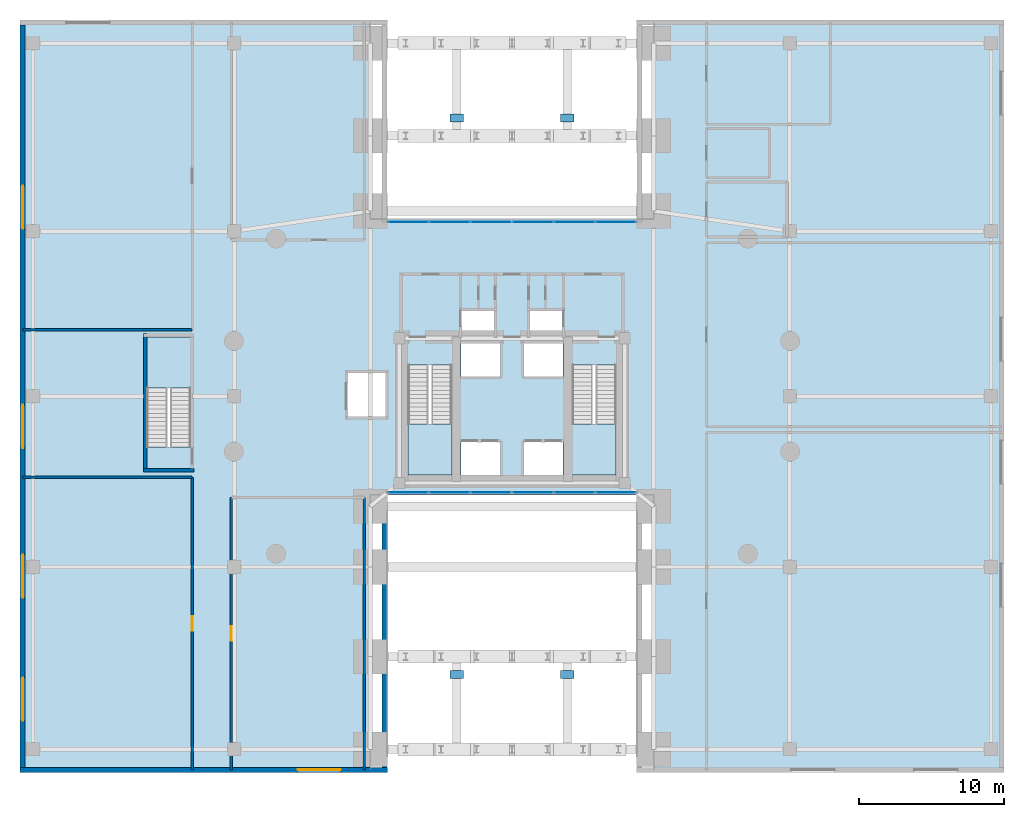
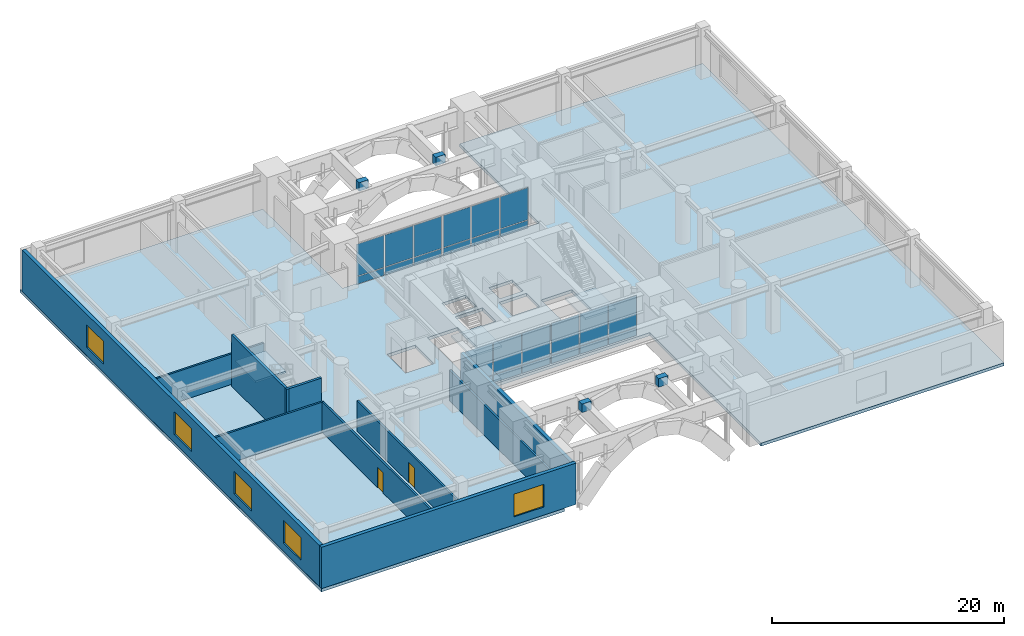
# One storey, part 13 of 18: 28 plates, 10 walls, 5 windows, 4 slabs, 2 doors, 7 openings, 7 elements without a shape of their own.
"""IFC4 building model written with IfcOpenShell, lengths in metres."""

from ifc_helpers import new_model, si_unit, direction, frame, frame_2d, origin, origin_2d, place, context, subcontext, project, spatial, polyline, rectangle, outline, extrude, material, layer, layer_set, type_object, element, fill, aggregate, save


model = new_model("IFC4")

# Units and contexts
model_context = context("Model", 3, precision=1e-05, world=origin(), true_north=direction((0.0, 1.0)))
body_context = subcontext(model_context, "Body", "Model", "MODEL_VIEW")
ifc_project = project(units=[si_unit("LENGTHUNIT", "METRE"), si_unit("AREAUNIT", "SQUARE_METRE"), si_unit("VOLUMEUNIT", "CUBIC_METRE"), si_unit("PLANEANGLEUNIT", "RADIAN"), si_unit("MASSUNIT", "GRAM", prefix="KILO"), si_unit("THERMODYNAMICTEMPERATUREUNIT", "KELVIN"), si_unit("POWERUNIT", "WATT")], contexts=[model_context])

# Site, building, storey
site_placement = place(None, origin())
site = spatial("IfcSite", under=ifc_project, at=site_placement, CompositionType="ELEMENT")
building_placement = place(site_placement, origin())
building = spatial("IfcBuilding", under=site, at=building_placement, Name="Ocrelia Relay Tower", CompositionType="ELEMENT")
storey_placement = place(building_placement, frame((0.0, 0.0, 10.199951171875)))
storey = spatial("IfcBuildingStorey", under=building, at=storey_placement, Name="L02", CompositionType="ELEMENT", Elevation=10.199951171875)

# Curtain wall, plates
ifc_material_1 = material(Name="Aluminium and solar-control low-E glass", Category="aluminium")
ifc_layer_1 = layer(ifc_material_1, 0.179931640625, Name="Aluminium and solar-control low-E glass")
ifc_layer_set_1 = layer_set([ifc_layer_1], Name="Aluminium and solar-control low-E glass")
curtain_wall_type = type_object("IfcCurtainWallType", Name="CW-SYS-POD-ARCH", PredefinedType="NOTDEFINED", material=ifc_layer_set_1)
curtain_wall_1_placement = place(storey_placement, origin())
curtain_wall_1 = element("IfcCurtainWall", 1, at=curtain_wall_1_placement, inside=storey, type_object=curtain_wall_type, Name="L02 South Portal Atrium Glazed Screen West", PredefinedType="NOTDEFINED")
ifc_material_2 = material(Name="Clear double-glazed low-E glass", Category="glass")
ifc_layer_2 = layer(ifc_material_2, 0.031982421875, Name="Clear double-glazed low-E glass")
ifc_layer_set_2 = layer_set([ifc_layer_2], Name="Clear double-glazed low-E glass")
plate_type_1 = type_object("IfcPlateType", Name="CW-SYS-POD-ARCH-PNL", PredefinedType="CURTAIN_PANEL", material=ifc_layer_set_2)
plate_1_placement = place(storey_placement, frame((26.83544921875, 19.35009765625, 0.06494140625), z_axis=(0.0, 0.0, 1.0), x_axis=(1.0, 0.0, 0.0)))
plate_1 = element("IfcPlate", 2, at=plate_1_placement, type_object=plate_type_1, Name="CW-PA panel 1.1", PredefinedType="CURTAIN_PANEL", context=body_context, shape_type="SweptSolid", body=[
    extrude(rectangle(XDim=2.7607421875, YDim=0.031982421875, at=origin_2d()), origin(), (0.0, 0.0, 1.0), 0.802490234375),
])
plate_2_placement = place(storey_placement, frame((26.83544921875, 19.35009765625, 0.9326171875), z_axis=(0.0, 0.0, 1.0), x_axis=(1.0, 0.0, 0.0)))
plate_2 = element("IfcPlate", 3, at=plate_2_placement, type_object=plate_type_1, Name="CW-PA panel 1.2", PredefinedType="CURTAIN_PANEL", context=body_context, shape_type="SweptSolid", body=[
    extrude(rectangle(XDim=2.7607421875, YDim=0.031982421875, at=origin_2d()), origin(), (0.0, 0.0, 1.0), 3.362548828125),
])
plate_3_placement = place(storey_placement, frame((29.68994140625, 19.35009765625, 0.06494140625), z_axis=(0.0, 0.0, 1.0), x_axis=(1.0, 0.0, 0.0)))
plate_3 = element("IfcPlate", 4, at=plate_3_placement, type_object=plate_type_1, Name="CW-PA panel 2.1", PredefinedType="CURTAIN_PANEL", context=body_context, shape_type="SweptSolid", body=[
    extrude(rectangle(XDim=2.79833984375, YDim=0.031982421875, at=origin_2d()), origin(), (0.0, 0.0, 1.0), 0.802490234375),
])
plate_4_placement = place(storey_placement, frame((29.68994140625, 19.35009765625, 0.9326171875), z_axis=(0.0, 0.0, 1.0), x_axis=(1.0, 0.0, 0.0)))
plate_4 = element("IfcPlate", 5, at=plate_4_placement, type_object=plate_type_1, Name="CW-PA panel 2.2", PredefinedType="CURTAIN_PANEL", context=body_context, shape_type="SweptSolid", body=[
    extrude(rectangle(XDim=2.79833984375, YDim=0.031982421875, at=origin_2d()), origin(), (0.0, 0.0, 1.0), 3.362548828125),
])
plate_5_placement = place(storey_placement, frame((32.544677734375, 19.35009765625, 0.06494140625), z_axis=(0.0, 0.0, 1.0), x_axis=(1.0, 0.0, 0.0)))
plate_5 = element("IfcPlate", 6, at=plate_5_placement, type_object=plate_type_1, Name="CW-PA panel 3.1", PredefinedType="CURTAIN_PANEL", context=body_context, shape_type="SweptSolid", body=[
    extrude(rectangle(XDim=2.7607421875, YDim=0.031982421875, at=origin_2d()), origin(), (0.0, 0.0, 1.0), 0.802490234375),
])
plate_6_placement = place(storey_placement, frame((32.544677734375, 19.35009765625, 0.9326171875), z_axis=(0.0, 0.0, 1.0), x_axis=(1.0, 0.0, 0.0)))
plate_6 = element("IfcPlate", 7, at=plate_6_placement, type_object=plate_type_1, Name="CW-PA panel 3.2", PredefinedType="CURTAIN_PANEL", context=body_context, shape_type="SweptSolid", body=[
    extrude(rectangle(XDim=2.7607421875, YDim=0.031982421875, at=origin_2d()), origin(), (0.0, 0.0, 1.0), 3.362548828125),
])
aggregate(curtain_wall_1, [plate_1, plate_2, plate_3, plate_4, plate_5, plate_6])

curtain_wall_2_placement = place(storey_placement, origin())
curtain_wall_2 = element("IfcCurtainWall", 8, at=curtain_wall_2_placement, inside=storey, type_object=curtain_wall_type, Name="L02 South Portal Atrium Glazed Screen East", PredefinedType="NOTDEFINED")
plate_7_placement = place(storey_placement, frame((35.455322265625, 19.35009765625, 0.06494140625), z_axis=(0.0, 0.0, 1.0), x_axis=(1.0, 0.0, 0.0)))
plate_7 = element("IfcPlate", 9, at=plate_7_placement, type_object=plate_type_1, Name="CW-PA panel 1.1", PredefinedType="CURTAIN_PANEL", context=body_context, shape_type="SweptSolid", body=[
    extrude(rectangle(XDim=2.7607421875, YDim=0.031982421875, at=origin_2d()), origin(), (0.0, 0.0, 1.0), 0.802490234375),
])
plate_8_placement = place(storey_placement, frame((35.455322265625, 19.35009765625, 0.9326171875), z_axis=(0.0, 0.0, 1.0), x_axis=(1.0, 0.0, 0.0)))
plate_8 = element("IfcPlate", 10, at=plate_8_placement, type_object=plate_type_1, Name="CW-PA panel 1.2", PredefinedType="CURTAIN_PANEL", context=body_context, shape_type="SweptSolid", body=[
    extrude(rectangle(XDim=2.7607421875, YDim=0.031982421875, at=origin_2d()), origin(), (0.0, 0.0, 1.0), 3.362548828125),
])
plate_9_placement = place(storey_placement, frame((38.31005859375, 19.35009765625, 0.06494140625), z_axis=(0.0, 0.0, 1.0), x_axis=(1.0, 0.0, 0.0)))
plate_9 = element("IfcPlate", 11, at=plate_9_placement, type_object=plate_type_1, Name="CW-PA panel 2.1", PredefinedType="CURTAIN_PANEL", context=body_context, shape_type="SweptSolid", body=[
    extrude(rectangle(XDim=2.79833984375, YDim=0.031982421875, at=origin_2d()), origin(), (0.0, 0.0, 1.0), 0.802490234375),
])
plate_10_placement = place(storey_placement, frame((38.31005859375, 19.35009765625, 0.9326171875), z_axis=(0.0, 0.0, 1.0), x_axis=(1.0, 0.0, 0.0)))
plate_10 = element("IfcPlate", 12, at=plate_10_placement, type_object=plate_type_1, Name="CW-PA panel 2.2", PredefinedType="CURTAIN_PANEL", context=body_context, shape_type="SweptSolid", body=[
    extrude(rectangle(XDim=2.79833984375, YDim=0.031982421875, at=origin_2d()), origin(), (0.0, 0.0, 1.0), 3.362548828125),
])
plate_11_placement = place(storey_placement, frame((41.16455078125, 19.35009765625, 0.06494140625), z_axis=(0.0, 0.0, 1.0), x_axis=(1.0, 0.0, 0.0)))
plate_11 = element("IfcPlate", 13, at=plate_11_placement, type_object=plate_type_1, Name="CW-PA panel 3.1", PredefinedType="CURTAIN_PANEL", context=body_context, shape_type="SweptSolid", body=[
    extrude(rectangle(XDim=2.7607421875, YDim=0.031982421875, at=origin_2d()), origin(), (0.0, 0.0, 1.0), 0.802490234375),
])
plate_12_placement = place(storey_placement, frame((41.16455078125, 19.35009765625, 0.9326171875), z_axis=(0.0, 0.0, 1.0), x_axis=(1.0, 0.0, 0.0)))
plate_12 = element("IfcPlate", 14, at=plate_12_placement, type_object=plate_type_1, Name="CW-PA panel 3.2", PredefinedType="CURTAIN_PANEL", context=body_context, shape_type="SweptSolid", body=[
    extrude(rectangle(XDim=2.7607421875, YDim=0.031982421875, at=origin_2d()), origin(), (0.0, 0.0, 1.0), 3.362548828125),
])
aggregate(curtain_wall_2, [plate_7, plate_8, plate_9, plate_10, plate_11, plate_12])

curtain_wall_3_placement = place(storey_placement, origin())
curtain_wall_3 = element("IfcCurtainWall", 15, at=curtain_wall_3_placement, inside=storey, type_object=curtain_wall_type, Name="L02 North Portal Concourse Glazed Screen West", PredefinedType="NOTDEFINED")
plate_13_placement = place(storey_placement, frame((26.83544921875, 38.050048828125, 0.06494140625), z_axis=(0.0, 0.0, 1.0), x_axis=(1.0, 0.0, 0.0)))
plate_13 = element("IfcPlate", 16, at=plate_13_placement, type_object=plate_type_1, Name="CW-PA panel 1.1", PredefinedType="CURTAIN_PANEL", context=body_context, shape_type="SweptSolid", body=[
    extrude(rectangle(XDim=2.7607421875, YDim=0.031982421875, at=origin_2d()), origin(), (0.0, 0.0, 1.0), 0.802490234375),
])
plate_14_placement = place(storey_placement, frame((26.83544921875, 38.050048828125, 0.9326171875), z_axis=(0.0, 0.0, 1.0), x_axis=(1.0, 0.0, 0.0)))
plate_14 = element("IfcPlate", 17, at=plate_14_placement, type_object=plate_type_1, Name="CW-PA panel 1.2", PredefinedType="CURTAIN_PANEL", context=body_context, shape_type="SweptSolid", body=[
    extrude(rectangle(XDim=2.7607421875, YDim=0.031982421875, at=origin_2d()), origin(), (0.0, 0.0, 1.0), 3.362548828125),
])
plate_15_placement = place(storey_placement, frame((29.68994140625, 38.050048828125, 0.06494140625), z_axis=(0.0, 0.0, 1.0), x_axis=(1.0, 0.0, 0.0)))
plate_15 = element("IfcPlate", 18, at=plate_15_placement, type_object=plate_type_1, Name="CW-PA panel 2.1", PredefinedType="CURTAIN_PANEL", context=body_context, shape_type="SweptSolid", body=[
    extrude(rectangle(XDim=2.79833984375, YDim=0.031982421875, at=origin_2d()), origin(), (0.0, 0.0, 1.0), 0.802490234375),
])
plate_16_placement = place(storey_placement, frame((29.68994140625, 38.050048828125, 0.9326171875), z_axis=(0.0, 0.0, 1.0), x_axis=(1.0, 0.0, 0.0)))
plate_16 = element("IfcPlate", 19, at=plate_16_placement, type_object=plate_type_1, Name="CW-PA panel 2.2", PredefinedType="CURTAIN_PANEL", context=body_context, shape_type="SweptSolid", body=[
    extrude(rectangle(XDim=2.79833984375, YDim=0.031982421875, at=origin_2d()), origin(), (0.0, 0.0, 1.0), 3.362548828125),
])
plate_17_placement = place(storey_placement, frame((32.544677734375, 38.050048828125, 0.06494140625), z_axis=(0.0, 0.0, 1.0), x_axis=(1.0, 0.0, 0.0)))
plate_17 = element("IfcPlate", 20, at=plate_17_placement, type_object=plate_type_1, Name="CW-PA panel 3.1", PredefinedType="CURTAIN_PANEL", context=body_context, shape_type="SweptSolid", body=[
    extrude(rectangle(XDim=2.7607421875, YDim=0.031982421875, at=origin_2d()), origin(), (0.0, 0.0, 1.0), 0.802490234375),
])
plate_18_placement = place(storey_placement, frame((32.544677734375, 38.050048828125, 0.9326171875), z_axis=(0.0, 0.0, 1.0), x_axis=(1.0, 0.0, 0.0)))
plate_18 = element("IfcPlate", 21, at=plate_18_placement, type_object=plate_type_1, Name="CW-PA panel 3.2", PredefinedType="CURTAIN_PANEL", context=body_context, shape_type="SweptSolid", body=[
    extrude(rectangle(XDim=2.7607421875, YDim=0.031982421875, at=origin_2d()), origin(), (0.0, 0.0, 1.0), 3.362548828125),
])
aggregate(curtain_wall_3, [plate_13, plate_14, plate_15, plate_16, plate_17, plate_18])

curtain_wall_4_placement = place(storey_placement, origin())
curtain_wall_4 = element("IfcCurtainWall", 22, at=curtain_wall_4_placement, inside=storey, type_object=curtain_wall_type, Name="L02 North Portal Concourse Glazed Screen East", PredefinedType="NOTDEFINED")
plate_19_placement = place(storey_placement, frame((35.455322265625, 38.050048828125, 0.06494140625), z_axis=(0.0, 0.0, 1.0), x_axis=(1.0, 0.0, 0.0)))
plate_19 = element("IfcPlate", 23, at=plate_19_placement, type_object=plate_type_1, Name="CW-PA panel 1.1", PredefinedType="CURTAIN_PANEL", context=body_context, shape_type="SweptSolid", body=[
    extrude(rectangle(XDim=2.7607421875, YDim=0.031982421875, at=origin_2d()), origin(), (0.0, 0.0, 1.0), 0.802490234375),
])
plate_20_placement = place(storey_placement, frame((35.455322265625, 38.050048828125, 0.9326171875), z_axis=(0.0, 0.0, 1.0), x_axis=(1.0, 0.0, 0.0)))
plate_20 = element("IfcPlate", 24, at=plate_20_placement, type_object=plate_type_1, Name="CW-PA panel 1.2", PredefinedType="CURTAIN_PANEL", context=body_context, shape_type="SweptSolid", body=[
    extrude(rectangle(XDim=2.7607421875, YDim=0.031982421875, at=origin_2d()), origin(), (0.0, 0.0, 1.0), 3.362548828125),
])
plate_21_placement = place(storey_placement, frame((38.31005859375, 38.050048828125, 0.06494140625), z_axis=(0.0, 0.0, 1.0), x_axis=(1.0, 0.0, 0.0)))
plate_21 = element("IfcPlate", 25, at=plate_21_placement, type_object=plate_type_1, Name="CW-PA panel 2.1", PredefinedType="CURTAIN_PANEL", context=body_context, shape_type="SweptSolid", body=[
    extrude(rectangle(XDim=2.79833984375, YDim=0.031982421875, at=origin_2d()), origin(), (0.0, 0.0, 1.0), 0.802490234375),
])
plate_22_placement = place(storey_placement, frame((38.31005859375, 38.050048828125, 0.9326171875), z_axis=(0.0, 0.0, 1.0), x_axis=(1.0, 0.0, 0.0)))
plate_22 = element("IfcPlate", 26, at=plate_22_placement, type_object=plate_type_1, Name="CW-PA panel 2.2", PredefinedType="CURTAIN_PANEL", context=body_context, shape_type="SweptSolid", body=[
    extrude(rectangle(XDim=2.79833984375, YDim=0.031982421875, at=origin_2d()), origin(), (0.0, 0.0, 1.0), 3.362548828125),
])
plate_23_placement = place(storey_placement, frame((41.16455078125, 38.050048828125, 0.06494140625), z_axis=(0.0, 0.0, 1.0), x_axis=(1.0, 0.0, 0.0)))
plate_23 = element("IfcPlate", 27, at=plate_23_placement, type_object=plate_type_1, Name="CW-PA panel 3.1", PredefinedType="CURTAIN_PANEL", context=body_context, shape_type="SweptSolid", body=[
    extrude(rectangle(XDim=2.7607421875, YDim=0.031982421875, at=origin_2d()), origin(), (0.0, 0.0, 1.0), 0.802490234375),
])
plate_24_placement = place(storey_placement, frame((41.16455078125, 38.050048828125, 0.9326171875), z_axis=(0.0, 0.0, 1.0), x_axis=(1.0, 0.0, 0.0)))
plate_24 = element("IfcPlate", 28, at=plate_24_placement, type_object=plate_type_1, Name="CW-PA panel 3.2", PredefinedType="CURTAIN_PANEL", context=body_context, shape_type="SweptSolid", body=[
    extrude(rectangle(XDim=2.7607421875, YDim=0.031982421875, at=origin_2d()), origin(), (0.0, 0.0, 1.0), 3.362548828125),
])
aggregate(curtain_wall_4, [plate_19, plate_20, plate_21, plate_22, plate_23, plate_24])

# Plates
ifc_material_3 = material(Name="Steel S355", Category="steel")
ifc_layer_3 = layer(ifc_material_3, 0.035888671875, Name="Steel S355")
ifc_layer_set_3 = layer_set([ifc_layer_3], Name="Steel S355")
plate_type_2 = type_object("IfcPlateType", Name="PL-NODE-ND-01", PredefinedType="USERDEFINED", material=ifc_layer_set_3)
for number, where, z_axis, x_axis, name in (
    (29, (37.82373046875, 45.223388671875, 4.2001953125), (0.0, 0.0, 1.0), (1.0, 0.0, 0.0), "Transfer Truss Bearing Node ND-01 (04)"),
    (30, (30.17626953125, 45.223388671875, 4.2001953125), (0.0, 0.0, 1.0), (1.0, 0.0, 0.0), "Transfer Truss Bearing Node ND-01 (05)"),
    (31, (30.17626953125, 6.776611328125, 4.2001953125), (0.0, 0.0, 1.0), (1.0, 0.0, 0.0), "Transfer Truss Bearing Node ND-01 (12)"),
    (32, (37.82373046875, 6.776611328125, 4.2001953125), (0.0, 0.0, 1.0), (1.0, 0.0, 0.0), "Transfer Truss Bearing Node ND-01 (13)"),
):
    element("IfcPlate", number, at=place(storey_placement, frame(where, z_axis=z_axis, x_axis=x_axis)), inside=storey, type_object=plate_type_2, Name=name, ObjectType="GUSSET PLATE", PredefinedType="USERDEFINED", context=body_context, shape_type="SweptSolid", body=[
        extrude(rectangle(XDim=0.93994140625, YDim=0.550048828125, at=origin_2d()), origin(), (0.0, 0.0, 1.0), 0.89990234375),
    ])

# Slab
ifc_material_4 = material(Name="Concrete C50/60", Category="concrete")
ifc_layer_4 = layer(ifc_material_4, 0.320068359375, Name="Concrete C50/60")
ifc_layer_set_4 = layer_set([ifc_layer_4], Name="Concrete C50/60")
slab_type_1 = type_object("IfcSlabType", Name="SL-FLR-320", PredefinedType="FLOOR", material=ifc_layer_set_4)
slab_1_placement = place(storey_placement, frame((0.0, 0.0, -0.320068359375)))
element("IfcSlab", 33, at=slab_1_placement, inside=storey, type_object=slab_type_1, Name="L02 Arched Podium Floor Slab", PredefinedType="FLOOR", context=body_context, shape_type="SweptSolid", body=[
    extrude(outline(polyline([(0.0, 0.0), (24.199951171875, 0.0), (24.199951171875, 19.199951171875), (43.800048828125, 19.199951171875), (43.800048828125, 0.0), (68.0, 0.0), (68.0, 52.0), (43.800048828125, 52.0), (43.800048828125, 38.25), (24.199951171875, 38.25), (24.199951171875, 52.0), (0.0, 52.0), (0.0, 0.0)]), holes=[polyline([(26.81005859375, 28.14990234375), (26.81005859375, 20.550048828125), (29.85009765625, 20.550048828125), (29.85009765625, 28.14990234375), (26.81005859375, 28.14990234375)]), polyline([(38.159912109375, 28.14990234375), (38.159912109375, 20.550048828125), (41.199951171875, 20.550048828125), (41.199951171875, 28.14990234375), (38.159912109375, 28.14990234375)]), polyline([(11.800048828125, 22.5), (11.800048828125, 30.10009765625), (8.760009765625, 30.10009765625), (8.760009765625, 22.5), (11.800048828125, 22.5)]), polyline([(30.4599609375, 20.550048828125), (33.159912109375, 20.550048828125), (33.159912109375, 22.85009765625), (30.4599609375, 22.85009765625), (30.4599609375, 20.550048828125)]), polyline([(34.840087890625, 20.550048828125), (37.5400390625, 20.550048828125), (37.5400390625, 22.85009765625), (34.840087890625, 22.85009765625), (34.840087890625, 20.550048828125)]), polyline([(30.4599609375, 27.35009765625), (33.159912109375, 27.35009765625), (33.159912109375, 29.64990234375), (30.4599609375, 29.64990234375), (30.4599609375, 27.35009765625)]), polyline([(34.840087890625, 27.35009765625), (37.5400390625, 27.35009765625), (37.5400390625, 29.64990234375), (34.840087890625, 29.64990234375), (34.840087890625, 27.35009765625)]), polyline([(30.5, 30.10009765625), (32.85009765625, 30.10009765625), (32.85009765625, 32.0), (30.5, 32.0), (30.5, 30.10009765625)]), polyline([(35.14990234375, 30.10009765625), (37.5, 30.10009765625), (37.5, 32.0), (35.14990234375, 32.0), (35.14990234375, 30.10009765625)]), polyline([(22.550048828125, 24.5), (25.35009765625, 24.5), (25.35009765625, 27.699951171875), (22.550048828125, 27.699951171875), (22.550048828125, 24.5)])]), origin(), (0.0, 0.0, 1.0), 0.320068359375),
])

# Stair, slab
stair_type = type_object("IfcStairType", Name="ST-DL-1420-R180", PredefinedType="HALF_TURN_STAIR", material=ifc_material_4)
stair_1_placement = place(storey_placement, origin())
stair_1 = element("IfcStair", 34, at=stair_1_placement, inside=storey, type_object=stair_type, Name="L02 West Core Exit Stair ST1", PredefinedType="HALF_TURN_STAIR")
ifc_layer_5 = layer(ifc_material_4, 0.199951171875, Name="Concrete C50/60")
ifc_layer_set_5 = layer_set([ifc_layer_5], Name="Concrete C50/60")
slab_type_2 = type_object("IfcSlabType", Name="SL-LANDING-200", PredefinedType="LANDING", material=ifc_layer_set_5)
slab_2_placement = place(storey_placement, frame((0.0, 0.0, 2.5)))
slab_2 = element("IfcSlab", 35, at=slab_2_placement, type_object=slab_type_2, Name="ST1 landing 1", PredefinedType="LANDING", context=body_context, shape_type="SweptSolid", body=[
    extrude(outline(polyline([(26.81005859375, 24.090087890625), (26.81005859375, 20.550048828125), (29.85009765625, 20.550048828125), (29.85009765625, 24.090087890625), (26.81005859375, 24.090087890625)])), origin(), (0.0, 0.0, 1.0), 0.199951171875),
])
aggregate(stair_1, [slab_2])

stair_2_placement = place(storey_placement, origin())
stair_2 = element("IfcStair", 36, at=stair_2_placement, inside=storey, type_object=stair_type, Name="L02 East Core Exit Stair ST2", PredefinedType="HALF_TURN_STAIR")
slab_3_placement = place(storey_placement, frame((0.0, 0.0, 2.5)))
slab_3 = element("IfcSlab", 37, at=slab_3_placement, type_object=slab_type_2, Name="ST2 landing 1", PredefinedType="LANDING", context=body_context, shape_type="SweptSolid", body=[
    extrude(outline(polyline([(38.159912109375, 24.090087890625), (38.159912109375, 20.550048828125), (41.199951171875, 20.550048828125), (41.199951171875, 24.090087890625), (38.159912109375, 24.090087890625)])), origin(), (0.0, 0.0, 1.0), 0.199951171875),
])
aggregate(stair_2, [slab_3])

stair_3_placement = place(storey_placement, origin())
stair_3 = element("IfcStair", 38, at=stair_3_placement, inside=storey, type_object=stair_type, Name="L02 Podium West Exit Stair ST3", PredefinedType="HALF_TURN_STAIR")
slab_4_placement = place(storey_placement, frame((0.0, 0.0, 2.5)))
slab_4 = element("IfcSlab", 39, at=slab_4_placement, type_object=slab_type_2, Name="ST3 landing 1", PredefinedType="LANDING", context=body_context, shape_type="SweptSolid", body=[
    extrude(outline(polyline([(11.800048828125, 26.56005859375), (11.800048828125, 30.10009765625), (8.760009765625, 30.10009765625), (8.760009765625, 26.56005859375), (11.800048828125, 26.56005859375)])), origin(), (0.0, 0.0, 1.0), 0.199951171875),
])
aggregate(stair_3, [slab_4])

# Walls
ifc_layer_6 = layer(ifc_material_4, 0.239990234375, Name="Concrete C50/60")
ifc_layer_set_6 = layer_set([ifc_layer_6], Name="Concrete C50/60")
wall_type_1 = type_object("IfcWallType", Name="CW-STAIR-240", PredefinedType="SHEAR", material=ifc_layer_set_6)
wall_1_placement = place(storey_placement, frame((8.531982421875, 20.89208984375, 0.0), z_axis=(0.0, 0.0, 1.0), x_axis=(1.0, 0.0, 0.0)))
element("IfcWall", 40, at=wall_1_placement, inside=storey, type_object=wall_type_1, Name="L02 Stair ST3 Structural Shaft S Wall", PredefinedType="SHEAR", context=body_context, shape_type="SweptSolid", body=[
    extrude(rectangle(XDim=3.49609375, YDim=0.239990234375, at=frame_2d((1.748046875, 0.0))), origin(), (0.0, 0.0, 1.0), 5.400146484375),
])
wall_2_placement = place(storey_placement, frame((8.652099609375, 20.77197265625, 0.0), z_axis=(0.0, 0.0, 1.0), x_axis=(0.0, 1.0, 0.0)))
element("IfcWall", 41, at=wall_2_placement, inside=storey, type_object=wall_type_1, Name="L02 Stair ST3 Structural Shaft W Wall", PredefinedType="SHEAR", context=body_context, shape_type="SweptSolid", body=[
    extrude(rectangle(XDim=9.555908203125, YDim=0.239990234375, at=frame_2d((4.77783203125, 0.0))), origin(), (0.0, 0.0, 1.0), 5.400146484375),
])

# Wall, opening, door
ifc_material_5 = material(Name="Gypsum Fireboard Partition EI60", Category="gypsum")
ifc_layer_7 = layer(ifc_material_5, 0.179931640625, Name="Gypsum Fireboard Partition EI60")
ifc_layer_set_7 = layer_set([ifc_layer_7], Name="Gypsum Fireboard Partition EI60")
wall_type_2 = type_object("IfcWallType", Name="W-CORR-EI60-180", PredefinedType="PARTITIONING", material=ifc_layer_set_7)
wall_3_placement = place(storey_placement, frame((11.89990234375, 0.179931640625, 0.0), z_axis=(0.0, 0.0, 1.0), x_axis=(0.0, 1.0, 0.0)))
wall_3 = element("IfcWall", 42, at=wall_3_placement, inside=storey, type_object=wall_type_2, Name="L02 Network Operations Centre Hall E Partition", PredefinedType="PARTITIONING", context=body_context, shape_type="SweptSolid", body=[
    extrude(rectangle(XDim=20.219970703125, YDim=0.179931640625, at=frame_2d((10.10986328125, 0.0))), origin(), (0.0, 0.0, 1.0), 3.2099609375),
])
opening_1_placement = place(wall_3_placement, frame((9.610107421875, 0.0, 0.0)))
opening_1 = element("IfcOpeningElement", 43, at=opening_1_placement, cuts=wall_3, Name="Opening D-RM100", PredefinedType="OPENING", context=body_context, shape_type="SweptSolid", body=[
    extrude(rectangle(XDim=1.0, YDim=2.14990234375, at=frame_2d((0.5, 1.074951171875))), frame((0.0, 0.10009765625, 0.0), z_axis=(0.0, -1.0, 0.0), x_axis=(1.0, 0.0, 0.0)), (0.0, 0.0, 1.0), 0.199951171875),
])
ifc_material_6 = material(Name="Acoustic oak veneer fire door", Category="wood")
door_type = type_object("IfcDoorType", Name="DR-ROOM-FD60-1000", OperationType="NOTDEFINED", PredefinedType="DOOR", material=ifc_material_6)
door_1_placement = place(opening_1_placement, origin())
door_1 = element("IfcDoor", 44, at=door_1_placement, inside=storey, type_object=door_type, Name="L02 Network Operations Centre Hall Door", OperationType="SINGLE_SWING_LEFT", OverallHeight=2.14990234375, OverallWidth=1.0, PredefinedType="DOOR", context=body_context, shape_type="SweptSolid", body=[
    extrude(rectangle(XDim=1.0, YDim=2.14990234375, at=frame_2d((0.5, 1.074951171875))), frame((0.0, 0.02490234375, 0.0), z_axis=(0.0, -1.0, 0.0), x_axis=(1.0, 0.0, 0.0)), (0.0, 0.0, 1.0), 0.050048828125),
])
fill(opening_1, door_1)

# Walls
for number, where, z_axis, x_axis, name in (
    (45, (11.89990234375, 20.39990234375, 0.0), (0.0, 0.0, 1.0), (-1.0, 0.0, 0.0), "L02 Network Operations Centre Hall N Partition"),
    (46, (0.179931640625, 30.60009765625, 0.0), (0.0, 0.0, 1.0), (1.0, 0.0, 0.0), "L02 Hardware Staging Laboratory S Partition"),
):
    element("IfcWall", number, at=place(storey_placement, frame(where, z_axis=z_axis, x_axis=x_axis)), inside=storey, type_object=wall_type_2, Name=name, PredefinedType="PARTITIONING", context=body_context, shape_type="SweptSolid", body=[
        extrude(rectangle(XDim=11.719970703125, YDim=0.179931640625, at=frame_2d((5.85986328125, 0.0))), origin(), (0.0, 0.0, 1.0), 3.2099609375),
    ])

# Wall, opening, door
wall_4_placement = place(storey_placement, frame((14.60009765625, 19.0, 0.0), z_axis=(0.0, 0.0, 1.0), x_axis=(0.0, -1.0, 0.0)))
wall_4 = element("IfcWall", 47, at=wall_4_placement, inside=storey, type_object=wall_type_2, Name="L02 West Carrier Operations Office W Partition", PredefinedType="PARTITIONING", context=body_context, shape_type="SweptSolid", body=[
    extrude(rectangle(XDim=18.820068359375, YDim=0.179931640625, at=frame_2d((9.41015625, 0.0))), origin(), (0.0, 0.0, 1.0), 3.2099609375),
])
opening_2_placement = place(wall_4_placement, frame((8.909912109375, 0.0, 0.0)))
opening_2 = element("IfcOpeningElement", 48, at=opening_2_placement, cuts=wall_4, Name="Opening D-RM100", PredefinedType="OPENING", context=body_context, shape_type="SweptSolid", body=[
    extrude(rectangle(XDim=1.0, YDim=2.14990234375, at=frame_2d((0.5, 1.074951171875))), frame((0.0, 0.10009765625, 0.0), z_axis=(0.0, -1.0, 0.0), x_axis=(1.0, 0.0, 0.0)), (0.0, 0.0, 1.0), 0.199951171875),
])
door_2_placement = place(opening_2_placement, origin())
door_2 = element("IfcDoor", 49, at=door_2_placement, inside=storey, type_object=door_type, Name="L02 West Carrier Operations Office Door", OperationType="SINGLE_SWING_LEFT", OverallHeight=2.14990234375, OverallWidth=1.0, PredefinedType="DOOR", context=body_context, shape_type="SweptSolid", body=[
    extrude(rectangle(XDim=1.0, YDim=2.14990234375, at=frame_2d((0.5, 1.074951171875))), frame((0.0, 0.02490234375, 0.0), z_axis=(0.0, -1.0, 0.0), x_axis=(1.0, 0.0, 0.0)), (0.0, 0.0, 1.0), 0.050048828125),
])
fill(opening_2, door_2)

# Wall
wall_5_placement = place(storey_placement, frame((23.800048828125, 0.179931640625, 0.0), z_axis=(0.0, 0.0, 1.0), x_axis=(0.0, 1.0, 0.0)))
element("IfcWall", 50, at=wall_5_placement, inside=storey, type_object=wall_type_2, Name="L02 West Carrier Operations Office E Partition", PredefinedType="PARTITIONING", context=body_context, shape_type="SweptSolid", body=[
    extrude(rectangle(XDim=18.820068359375, YDim=0.179931640625, at=frame_2d((9.41015625, 0.0))), origin(), (0.0, 0.0, 1.0), 3.2099609375),
])

# Wall, opening, window
ifc_material_7 = material(Name="Precast concrete C40/50 with oxide terracotta", Category="masonry")
ifc_layer_8 = layer(ifc_material_7, 0.35009765625, Name="Precast concrete C40/50 with oxide terracotta")
ifc_layer_set_8 = layer_set([ifc_layer_8], Name="Precast concrete C40/50 with oxide terracotta")
wall_type_3 = type_object("IfcWallType", Name="W-EXT-POD-350", PredefinedType="SOLIDWALL", material=ifc_layer_set_8)
wall_6_placement = place(storey_placement, frame((25.3798828125, 0.179931640625, 0.0), z_axis=(0.0, 0.0, 1.0), x_axis=(-1.0, 0.0, 0.0)))
wall_6 = element("IfcWall", 51, at=wall_6_placement, inside=storey, type_object=wall_type_3, Name="L02 Oxide Terracotta Podium Wall WS", PredefinedType="SOLIDWALL", context=body_context, shape_type="SweptSolid", body=[
    extrude(rectangle(XDim=25.369873046875, YDim=0.35009765625, at=frame_2d((12.68505859375, 0.0))), origin(), (0.0, 0.0, 1.0), 4.360107421875),
])
opening_3_placement = place(wall_6_placement, frame((3.199951171875, 0.0, 0.85009765625)))
opening_3 = element("IfcOpeningElement", 52, at=opening_3_placement, cuts=wall_6, Name="Opening W-05", PredefinedType="OPENING", context=body_context, shape_type="SweptSolid", body=[
    extrude(rectangle(XDim=3.0, YDim=2.39990234375, at=frame_2d((1.5, 1.199951171875))), frame((0.0, 0.18505859375, 0.0), z_axis=(0.0, -1.0, 0.0), x_axis=(1.0, 0.0, 0.0)), (0.0, 0.0, 1.0), 0.3701171875),
])
window_type = type_object("IfcWindowType", Name="WIN-POD-3000x2600", PartitioningType="DOUBLE_PANEL_VERTICAL", PredefinedType="WINDOW", material=ifc_material_2)
window_1_placement = place(opening_3_placement, origin())
window_1 = element("IfcWindow", 53, at=window_1_placement, inside=storey, type_object=window_type, Name="L02 Podium Punched Window WS-1", OverallHeight=2.39990234375, OverallWidth=3.0, PartitioningType="SINGLE_PANEL", PredefinedType="WINDOW", context=body_context, shape_type="SweptSolid", body=[
    extrude(rectangle(XDim=3.0, YDim=2.39990234375, at=frame_2d((1.5, 1.199951171875))), frame((0.0, 0.030029296875, 0.0), z_axis=(0.0, -1.0, 0.0), x_axis=(1.0, 0.0, 0.0)), (0.0, 0.0, 1.0), 0.06005859375),
])
fill(opening_3, window_1)

# Wall, openings, windows
wall_7_placement = place(storey_placement, frame((0.179931640625, 0.360107421875, 0.0), z_axis=(0.0, 0.0, 1.0), x_axis=(0.0, 1.0, 0.0)))
wall_7 = element("IfcWall", 54, at=wall_7_placement, inside=storey, type_object=wall_type_3, Name="L02 Oxide Terracotta Podium Wall WW", PredefinedType="SOLIDWALL", context=body_context, shape_type="SweptSolid", body=[
    extrude(rectangle(XDim=51.27978515625, YDim=0.35009765625, at=frame_2d((25.639892578125, 0.0))), origin(), (0.0, 0.0, 1.0), 4.360107421875),
])
opening_4_placement = place(wall_7_placement, frame((3.199951171875, 0.0, 0.85009765625)))
opening_4 = element("IfcOpeningElement", 55, at=opening_4_placement, cuts=wall_7, Name="Opening W-05", PredefinedType="OPENING", context=body_context, shape_type="SweptSolid", body=[
    extrude(rectangle(XDim=3.0, YDim=2.39990234375, at=frame_2d((1.5, 1.199951171875))), frame((0.0, 0.18505859375, 0.0), z_axis=(0.0, -1.0, 0.0), x_axis=(1.0, 0.0, 0.0)), (0.0, 0.0, 1.0), 0.3701171875),
])
opening_5_placement = place(wall_7_placement, frame((11.699951171875, 0.0, 0.85009765625)))
opening_5 = element("IfcOpeningElement", 56, at=opening_5_placement, cuts=wall_7, Name="Opening W-05", PredefinedType="OPENING", context=body_context, shape_type="SweptSolid", body=[
    extrude(rectangle(XDim=3.0, YDim=2.39990234375, at=frame_2d((1.5, 1.199951171875))), frame((0.0, 0.18505859375, 0.0), z_axis=(0.0, -1.0, 0.0), x_axis=(1.0, 0.0, 0.0)), (0.0, 0.0, 1.0), 0.3701171875),
])
opening_6_placement = place(wall_7_placement, frame((22.050048828125, 0.0, 0.85009765625)))
opening_6 = element("IfcOpeningElement", 57, at=opening_6_placement, cuts=wall_7, Name="Opening W-05", PredefinedType="OPENING", context=body_context, shape_type="SweptSolid", body=[
    extrude(rectangle(XDim=3.0, YDim=2.39990234375, at=frame_2d((1.5, 1.199951171875))), frame((0.0, 0.18505859375, 0.0), z_axis=(0.0, -1.0, 0.0), x_axis=(1.0, 0.0, 0.0)), (0.0, 0.0, 1.0), 0.3701171875),
])
opening_7_placement = place(wall_7_placement, frame((37.199951171875, 0.0, 0.85009765625)))
opening_7 = element("IfcOpeningElement", 58, at=opening_7_placement, cuts=wall_7, Name="Opening W-05", PredefinedType="OPENING", context=body_context, shape_type="SweptSolid", body=[
    extrude(rectangle(XDim=3.0, YDim=2.39990234375, at=frame_2d((1.5, 1.199951171875))), frame((0.0, 0.18505859375, 0.0), z_axis=(0.0, -1.0, 0.0), x_axis=(1.0, 0.0, 0.0)), (0.0, 0.0, 1.0), 0.3701171875),
])
window_2_placement = place(opening_4_placement, origin())
window_2 = element("IfcWindow", 59, at=window_2_placement, inside=storey, type_object=window_type, Name="L02 Podium Punched Window WW-1", OverallHeight=2.39990234375, OverallWidth=3.0, PartitioningType="SINGLE_PANEL", PredefinedType="WINDOW", context=body_context, shape_type="SweptSolid", body=[
    extrude(rectangle(XDim=3.0, YDim=2.39990234375, at=frame_2d((1.5, 1.199951171875))), frame((0.0, 0.030029296875, 0.0), z_axis=(0.0, -1.0, 0.0), x_axis=(1.0, 0.0, 0.0)), (0.0, 0.0, 1.0), 0.06005859375),
])
fill(opening_4, window_2)
window_3_placement = place(opening_5_placement, origin())
window_3 = element("IfcWindow", 60, at=window_3_placement, inside=storey, type_object=window_type, Name="L02 Podium Punched Window WW-2", OverallHeight=2.39990234375, OverallWidth=3.0, PartitioningType="SINGLE_PANEL", PredefinedType="WINDOW", context=body_context, shape_type="SweptSolid", body=[
    extrude(rectangle(XDim=3.0, YDim=2.39990234375, at=frame_2d((1.5, 1.199951171875))), frame((0.0, 0.030029296875, 0.0), z_axis=(0.0, -1.0, 0.0), x_axis=(1.0, 0.0, 0.0)), (0.0, 0.0, 1.0), 0.06005859375),
])
fill(opening_5, window_3)
window_4_placement = place(opening_6_placement, origin())
window_4 = element("IfcWindow", 61, at=window_4_placement, inside=storey, type_object=window_type, Name="L02 Podium Punched Window WW-3", OverallHeight=2.39990234375, OverallWidth=3.0, PartitioningType="SINGLE_PANEL", PredefinedType="WINDOW", context=body_context, shape_type="SweptSolid", body=[
    extrude(rectangle(XDim=3.0, YDim=2.39990234375, at=frame_2d((1.5, 1.199951171875))), frame((0.0, 0.030029296875, 0.0), z_axis=(0.0, -1.0, 0.0), x_axis=(1.0, 0.0, 0.0)), (0.0, 0.0, 1.0), 0.06005859375),
])
fill(opening_6, window_4)
window_5_placement = place(opening_7_placement, origin())
window_5 = element("IfcWindow", 62, at=window_5_placement, inside=storey, type_object=window_type, Name="L02 Podium Punched Window WW-5", OverallHeight=2.39990234375, OverallWidth=3.0, PartitioningType="SINGLE_PANEL", PredefinedType="WINDOW", context=body_context, shape_type="SweptSolid", body=[
    extrude(rectangle(XDim=3.0, YDim=2.39990234375, at=frame_2d((1.5, 1.199951171875))), frame((0.0, 0.030029296875, 0.0), z_axis=(0.0, -1.0, 0.0), x_axis=(1.0, 0.0, 0.0)), (0.0, 0.0, 1.0), 0.06005859375),
])
fill(opening_7, window_5)

# Wall
wall_8_placement = place(storey_placement, frame((25.199951171875, 19.35009765625, 0.0), z_axis=(0.0, 0.0, 1.0), x_axis=(0.0, -1.0, 0.0)))
element("IfcWall", 63, at=wall_8_placement, inside=storey, type_object=wall_type_3, Name="L02 Oxide Terracotta Podium Wall AWS", PredefinedType="SOLIDWALL", context=body_context, shape_type="SweptSolid", body=[
    extrude(rectangle(XDim=18.989990234375, YDim=0.35009765625, at=frame_2d((9.4951171875, 0.0))), origin(), (0.0, 0.0, 1.0), 4.360107421875),
])

save(model, "model.ifc")
